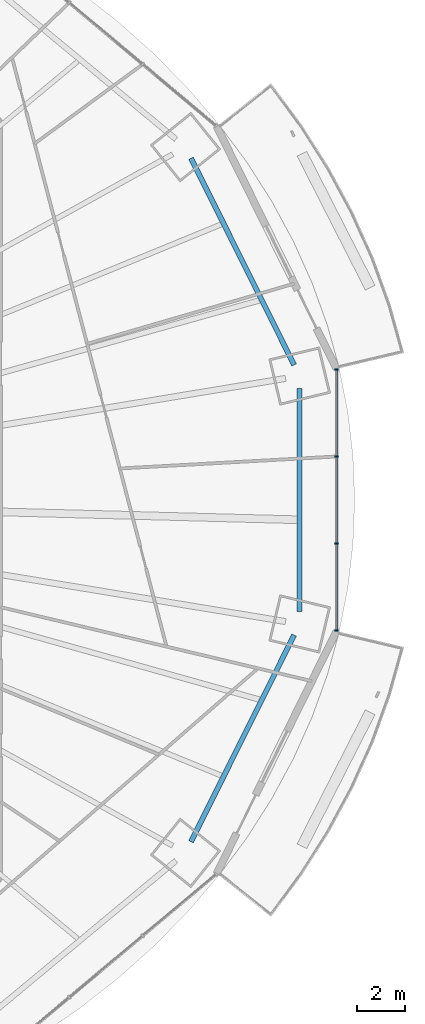
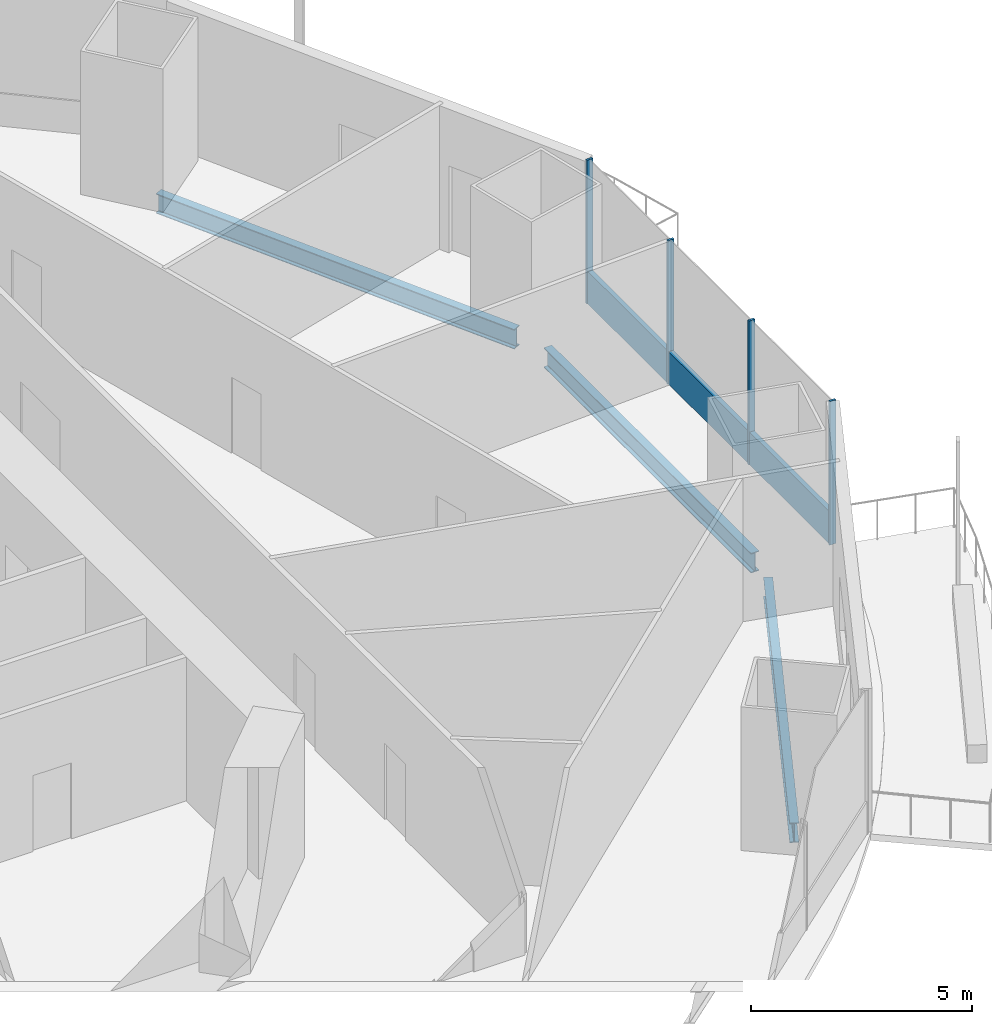
# One storey, part 11 of 21: 5 members, 3 beams, 1 element without a shape of its own.
"""IFC4 building model written with IfcOpenShell, lengths in metres."""

import ifcopenshell
import ifcopenshell.guid

model = None  # the IFC model being written
_history = None  # IfcOwnerHistory: only IFC2X3 demands one
_inside = {}  # id of a spatial element -> (the spatial element, [elements in it])
_under = {}  # id of a project, library or spatial element -> (it, [spatial elements below it])
_declared = {}  # id of a project -> (the project, [libraries it declares])
_typed = {}  # id of a type object -> (the type object, [elements of that type])
_made_of = {}  # id of a material, layer set ... -> (it, [elements and type objects made of it])


def new_model(schema):
    """Start an empty IFC model of exactly this schema.

    Asked for "IFC4X3", IfcOpenShell would pick the latest addendum, in which some entities
    have other attributes; the version numbers below select the first issue.
    IFC2X3 requires an IfcOwnerHistory on every rooted entity: one is made here for all.
    """
    global model, _history
    if schema == "IFC4X3":
        model = ifcopenshell.file(schema_version=(4, 3, 0, 0))
    else:
        model = ifcopenshell.file(schema=schema)
    _inside.clear()
    _under.clear()
    _declared.clear()
    _typed.clear()
    _made_of.clear()
    _history = None
    if model.schema == "IFC2X3":
        org = make("IfcOrganization", Name="unknown")
        user = make(
            "IfcPersonAndOrganization",
            ThePerson=make("IfcPerson", FamilyName="unknown"),
            TheOrganization=org,
        )
        app = make(
            "IfcApplication",
            ApplicationDeveloper=org,
            Version="unknown",
            ApplicationFullName="unknown",
            ApplicationIdentifier="unknown",
        )
        _history = make(
            "IfcOwnerHistory",
            OwningUser=user,
            OwningApplication=app,
            ChangeAction="ADDED",
            CreationDate=0,
        )
    return model


def make(cls, **values):
    """One entity of the class cls with the attributes given. An attribute that is None is left unset."""
    return model.create_entity(
        cls, **{name: value for name, value in values.items() if value is not None}
    )


def rooted(cls, **values):
    """An entity with a GlobalId (a new one), such as an element, a storey or a relation."""
    return make(cls, GlobalId=ifcopenshell.guid.new(), OwnerHistory=_history, **values)


def si_unit(unit_type, name, prefix=None):
    """IfcSIUnit, for example si_unit("LENGTHUNIT", "METRE", prefix="MILLI")."""
    return make("IfcSIUnit", UnitType=unit_type, Prefix=prefix, Name=name)


def assignment(units):
    """IfcUnitAssignment: the units of a project."""
    return None if units is None else make("IfcUnitAssignment", Units=units)


def point(xyz):
    """IfcCartesianPoint."""
    return None if xyz is None else make("IfcCartesianPoint", Coordinates=xyz)


def direction(xyz):
    """IfcDirection."""
    return None if xyz is None else make("IfcDirection", DirectionRatios=xyz)


def frame(location, z_axis=None, x_axis=None):
    """IfcAxis2Placement3D, a coordinate frame: its origin and axes. An axis left out is left unset."""
    return make(
        "IfcAxis2Placement3D",
        Location=point(location),
        Axis=direction(z_axis),
        RefDirection=direction(x_axis),
    )


def frame_2d(location, x_axis=None):
    """IfcAxis2Placement2D, a coordinate frame in the plane: its origin and x axis."""
    return make(
        "IfcAxis2Placement2D", Location=point(location), RefDirection=direction(x_axis)
    )


def origin():
    """The frame at (0, 0, 0) with its axes left unset."""
    return frame((0.0, 0.0, 0.0))


def origin_2d():
    """The frame at (0, 0) in the plane with its x axis left unset."""
    return frame_2d((0.0, 0.0))


def place(relative_to, where):
    """IfcLocalPlacement: puts the frame where relative to a parent placement (None: the world)."""
    return make(
        "IfcLocalPlacement", PlacementRelTo=relative_to, RelativePlacement=where
    )


def context(
    kind, dimensions, precision=None, world=None, true_north=None, identifier=None
):
    """IfcGeometricRepresentationContext, for example the 3D "Model" context."""
    return make(
        "IfcGeometricRepresentationContext",
        ContextIdentifier=identifier,
        ContextType=kind,
        CoordinateSpaceDimension=dimensions,
        Precision=precision,
        WorldCoordinateSystem=world,
        TrueNorth=true_north,
    )


def subcontext(parent, identifier, kind, view, scale=None):
    """IfcGeometricRepresentationSubContext, for example "Body" below "Model"."""
    return make(
        "IfcGeometricRepresentationSubContext",
        ContextIdentifier=identifier,
        ContextType=kind,
        ParentContext=parent,
        TargetScale=scale,
        TargetView=view,
    )


def project(units=None, contexts=None):
    """IfcProject with its units and contexts."""
    return rooted(
        "IfcProject",
        Name="project",
        RepresentationContexts=contexts,
        UnitsInContext=assignment(units),
    )


def spatial(cls, under=None, at=None, **own):
    """A site, building, storey or space (cls), placed at a placement, below another one or the project."""
    s = rooted(cls, ObjectPlacement=at, **own)
    if under is not None:
        _under.setdefault(under.id(), (under, []))[1].append(s)
    return s


def profile(cls, at=None, kind="AREA", **sizes):
    """A parametric profile (cls). Its sizes go by their IFC names, for example OverallWidth=200.0."""
    return make(cls, ProfileType=kind, Position=at, **sizes)


def rectangle(**sizes):
    """IfcRectangleProfileDef."""
    return profile("IfcRectangleProfileDef", **sizes)


def i_section(**sizes):
    """IfcIShapeProfileDef."""
    return profile("IfcIShapeProfileDef", **sizes)


def extrude(swept, where, along, depth):
    """IfcExtrudedAreaSolid: the profile swept, set in the frame where, extruded along a direction by depth."""
    return make(
        "IfcExtrudedAreaSolid",
        SweptArea=swept,
        Position=where,
        ExtrudedDirection=direction(along),
        Depth=depth,
    )


def shape(context_of_items, identifier, shape_type, items):
    """IfcShapeRepresentation: the items that make up one representation, for example the "Body"."""
    return make(
        "IfcShapeRepresentation",
        ContextOfItems=context_of_items,
        RepresentationIdentifier=identifier,
        RepresentationType=shape_type,
        Items=items,
    )


def material(Name=None, Category=None):
    """IfcMaterial."""
    return make("IfcMaterial", Name=Name, Category=Category)


def material_profile(
    of_material, cross_section, Name=None, Category=None, Priority=None
):
    """IfcMaterialProfile: a cross section and its material."""
    return make(
        "IfcMaterialProfile",
        Name=Name,
        Material=of_material,
        Profile=cross_section,
        Priority=Priority,
        Category=Category,
    )


def profile_set(profiles, Name=None, composite=None):
    """IfcMaterialProfileSet."""
    return make(
        "IfcMaterialProfileSet",
        Name=Name,
        MaterialProfiles=profiles,
        CompositeProfile=composite,
    )


def made_of(thing, what):
    """Note that an element or type object is made of a material, layer set ...; save() writes the relation."""
    if what is not None:
        _made_of.setdefault(what.id(), (what, []))[1].append(thing)
    return thing


def type_object(cls, material=None, **own):
    """A type object (cls), such as IfcWallType, which elements share."""
    return made_of(rooted(cls, **own), material)


def element(
    cls,
    number,
    at=None,
    inside=None,
    cuts=None,
    type_object=None,
    material=None,
    context=None,
    identifier="Body",
    shape_type=None,
    held_by="IfcProductDefinitionShape",
    body=None,
    shapes=None,
    **own,
):
    """One element of the class cls, such as IfcWall. Its Tag is "e" and its number.

    at: its placement. inside: the storey or other place that contains it. cuts: it is an
    opening in that element (IfcRelVoidsElement). A single representation is given by context,
    identifier, shape_type and body (its items); several are given by shapes. held_by: the class
    of the entity that holds the representations. save() writes the other relations.
    """
    e = rooted(cls, Tag="e%d" % number, ObjectPlacement=at, **own)
    if body is not None:
        shapes = [shape(context, identifier, shape_type, body)]
    if shapes is not None:
        e.Representation = make(held_by, Representations=shapes)
    if inside is not None:
        _inside.setdefault(inside.id(), (inside, []))[1].append(e)
    if cuts is not None:
        rooted(
            "IfcRelVoidsElement", RelatingBuildingElement=cuts, RelatedOpeningElement=e
        )
    if type_object is not None:
        _typed.setdefault(type_object.id(), (type_object, []))[1].append(e)
    return made_of(e, material)


def aggregate(whole, parts):
    """IfcRelAggregates: a whole, such as a stair, and the parts it consists of."""
    return rooted("IfcRelAggregates", RelatingObject=whole, RelatedObjects=parts)


def save(model, path):
    """Write the relations noted so far, then the file.

    IfcRelAggregates (storeys below a building ...), IfcRelContainedInSpatialStructure (elements
    in a storey), IfcRelDefinesByType, IfcRelAssociatesMaterial and IfcRelDeclares: one each for
    every whole, place, type object, material and project.
    """
    for whole, parts in _under.values():
        aggregate(whole, parts)
    for where, things in _inside.values():
        rooted(
            "IfcRelContainedInSpatialStructure",
            RelatedElements=things,
            RelatingStructure=where,
        )
    for kind, things in _typed.values():
        rooted("IfcRelDefinesByType", RelatedObjects=things, RelatingType=kind)
    for what, things in _made_of.values():
        rooted("IfcRelAssociatesMaterial", RelatedObjects=things, RelatingMaterial=what)
    for by, libraries in _declared.values():
        rooted("IfcRelDeclares", RelatingContext=by, RelatedDefinitions=libraries)
    model.write(path)


model = new_model("IFC4")

# Units and contexts
model_context = context("Model", 3, precision=1e-05, world=origin(), true_north=direction((0.0, 1.0)))
body_context = subcontext(model_context, "Body", "Model", "MODEL_VIEW")
ifc_project = project(units=[si_unit("LENGTHUNIT", "METRE"), si_unit("AREAUNIT", "SQUARE_METRE"), si_unit("VOLUMEUNIT", "CUBIC_METRE"), si_unit("PLANEANGLEUNIT", "RADIAN"), si_unit("MASSUNIT", "GRAM", prefix="KILO")], contexts=[model_context])

# Site, building, storey
site_placement = place(None, origin())
site = spatial("IfcSite", under=ifc_project, at=site_placement, CompositionType="ELEMENT")
building_placement = place(site_placement, origin())
building = spatial("IfcBuilding", under=site, at=building_placement, Name="Marenthal Gate Tower", CompositionType="ELEMENT")
storey_placement = place(building_placement, frame((0.0, 0.0, 128.449951171875)))
storey = spatial("IfcBuildingStorey", under=building, at=storey_placement, Name="L27", CompositionType="ELEMENT", Elevation=128.449951171875)

# Curtain wall, members
ifc_material_1 = material(Name="Aluminium and glass", Category="aluminium")
curtain_wall_type = type_object("IfcCurtainWallType", Name="Curtain wall typical low", PredefinedType="NOTDEFINED", material=ifc_material_1)
curtain_wall_placement = place(storey_placement, origin())
curtain_wall = element("IfcCurtainWall", 1, at=curtain_wall_placement, inside=storey, type_object=curtain_wall_type, Name="Curtain wall L27 bay 16", PredefinedType="NOTDEFINED")
ifc_material_2 = material(Name="Aluminium", Category="aluminium")
ifc_material_profile_1 = material_profile(ifc_material_2, rectangle(XDim=0.159912109375, YDim=0.06005859375, at=origin_2d()), Name="60x160 aluminium mullion")
ifc_profile_set_1 = profile_set([ifc_material_profile_1], Name="Aluminium")
member_type_1 = type_object("IfcMemberType", Name="Mullion 60x160 typical low", PredefinedType="MULLION", material=ifc_profile_set_1)
member_1_placement = place(storey_placement, frame((33.134765625, -5.495361328125, 0.0), z_axis=(0.0, 0.0, 1.0), x_axis=(-1.0, 0.0, 0.0)))
member_1 = element("IfcMember", 2, at=member_1_placement, type_object=member_type_1, Name="Mullion L27 bay 16.1", PredefinedType="MULLION", context=body_context, shape_type="SweptSolid", body=[
    extrude(rectangle(XDim=0.159912109375, YDim=0.06005859375, at=origin_2d()), origin(), (0.0, 0.0, 1.0), 3.969970703125),
])
member_2_placement = place(storey_placement, frame((33.134765625, -1.831787109375, 0.0), z_axis=(0.0, 0.0, 1.0), x_axis=(-1.0, 0.0, 0.0)))
member_2 = element("IfcMember", 3, at=member_2_placement, type_object=member_type_1, Name="Mullion L27 bay 16.2", PredefinedType="MULLION", context=body_context, shape_type="SweptSolid", body=[
    extrude(rectangle(XDim=0.159912109375, YDim=0.06005859375, at=origin_2d()), origin(), (0.0, 0.0, 1.0), 3.969970703125),
])
member_3_placement = place(storey_placement, frame((33.134765625, 1.831787109375, 0.0), z_axis=(0.0, 0.0, 1.0), x_axis=(-1.0, 0.0, 0.0)))
member_3 = element("IfcMember", 4, at=member_3_placement, type_object=member_type_1, Name="Mullion L27 bay 16.3", PredefinedType="MULLION", context=body_context, shape_type="SweptSolid", body=[
    extrude(rectangle(XDim=0.159912109375, YDim=0.06005859375, at=origin_2d()), origin(), (0.0, 0.0, 1.0), 3.969970703125),
])
member_4_placement = place(storey_placement, frame((33.134765625, 5.495361328125, 0.0), z_axis=(0.0, 0.0, 1.0), x_axis=(-1.0, 0.0, 0.0)))
member_4 = element("IfcMember", 5, at=member_4_placement, type_object=member_type_1, Name="Mullion L27 bay 16.4", PredefinedType="MULLION", context=body_context, shape_type="SweptSolid", body=[
    extrude(rectangle(XDim=0.159912109375, YDim=0.06005859375, at=origin_2d()), origin(), (0.0, 0.0, 1.0), 3.969970703125),
])
ifc_material_3 = material(Name="Aluminium", Category="aluminium")
ifc_material_profile_2 = material_profile(ifc_material_3, rectangle(XDim=0.1201171875, YDim=0.89990234375, at=origin_2d()), Name="120x900 aluminium transom")
ifc_profile_set_2 = profile_set([ifc_material_profile_2], Name="Aluminium")
member_type_2 = type_object("IfcMemberType", Name="Transom 120x900 typical low", PredefinedType="USERDEFINED", material=ifc_profile_set_2)
member_5_placement = place(storey_placement, frame((33.134765625, -5.46533203125, 0.449951171875), z_axis=(0.0, 1.0, 0.0), x_axis=(-1.0, 0.0, 0.0)))
member_5 = element("IfcMember", 6, at=member_5_placement, type_object=member_type_2, Name="Transom L27 bay 16", ObjectType="TRANSOM", PredefinedType="USERDEFINED", context=body_context, shape_type="SweptSolid", body=[
    extrude(rectangle(XDim=0.1201171875, YDim=0.89990234375, at=origin_2d()), origin(), (0.0, 0.0, 1.0), 10.9306640625),
])
aggregate(curtain_wall, [member_1, member_2, member_3, member_4, member_5])

# Beams
ifc_material_4 = material(Name="Steel S355", Category="steel")
ifc_material_profile_3 = material_profile(ifc_material_4, i_section(OverallWidth=0.2119140625, OverallDepth=0.5439453125, WebThickness=0.01318359375, FlangeThickness=0.021240234375, FilletRadius=0.0126953125, at=origin_2d()), Name="W530X123")
ifc_profile_set_3 = profile_set([ifc_material_profile_3], Name="Steel S355")
beam_type = type_object("IfcBeamType", Name="W530X123 beam", PredefinedType="BEAM", material=ifc_profile_set_3)
for number, where, z_axis, x_axis, name in (
    (7, (31.35009765625, 5.688232421875, -0.451904296875), (-0.446359643577, 0.894853657637, 0.0), (-0.894853657637, -0.446359643577, 0.0), "BM-L27-41"),
    (8, (27.01025390625, -14.388671875, -0.451904296875), (0.446359643577, 0.894853657637, 0.0), (-0.894853657637, 0.446359643577, 0.0), "BM-L27-55"),
):
    element("IfcBeam", number, at=place(storey_placement, frame(where, z_axis=z_axis, x_axis=x_axis)), inside=storey, type_object=beam_type, Name=name, PredefinedType="BEAM", context=body_context, shape_type="SweptSolid", body=[
        extrude(i_section(OverallWidth=0.2119140625, OverallDepth=0.5439453125, WebThickness=0.01318359375, FlangeThickness=0.021240234375, FilletRadius=0.0126953125, at=origin_2d()), origin(), (0.0, 0.0, 1.0), 9.72265625),
    ])
beam_placement = place(storey_placement, frame((31.585205078125, -4.688720703125, -0.451904296875), z_axis=(0.0, 1.0, 0.0), x_axis=(-1.0, 0.0, 0.0)))
element("IfcBeam", 9, at=beam_placement, inside=storey, type_object=beam_type, Name="BM-L27-56", PredefinedType="BEAM", context=body_context, shape_type="SweptSolid", body=[
    extrude(i_section(OverallWidth=0.2119140625, OverallDepth=0.5439453125, WebThickness=0.01318359375, FlangeThickness=0.021240234375, FilletRadius=0.0126953125, at=origin_2d()), origin(), (0.0, 0.0, 1.0), 9.37744140625),
])

save(model, "model.ifc")
